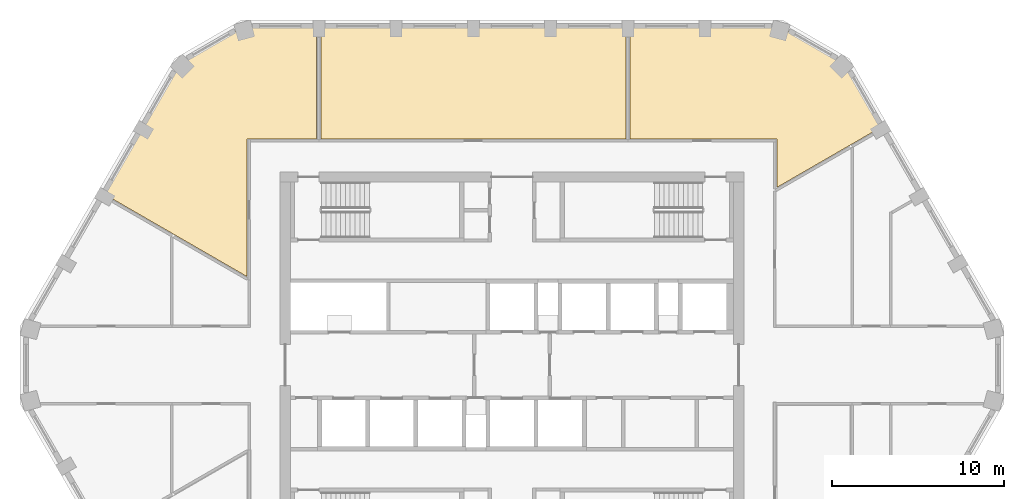
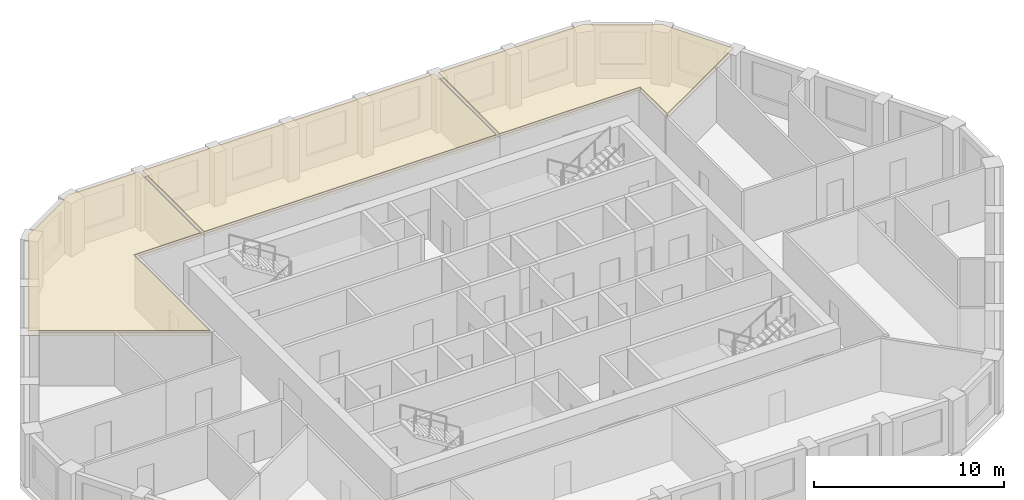
# One storey, part 11 of 11: 3 coverings.
"""IFC4 building model written with IfcOpenShell, lengths in metres."""

from ifc_helpers import new_model, si_unit, direction, frame, origin, place, context, subcontext, project, spatial, polyline, outline, extrude, material, layer, layer_set, type_object, element, save


model = new_model("IFC4")

# Units and contexts
model_context = context("Model", 3, precision=1e-05, world=origin(), true_north=direction((0.0, 1.0)))
body_context = subcontext(model_context, "Body", "Model", "MODEL_VIEW")
ifc_project = project(units=[si_unit("LENGTHUNIT", "METRE"), si_unit("AREAUNIT", "SQUARE_METRE"), si_unit("VOLUMEUNIT", "CUBIC_METRE"), si_unit("PLANEANGLEUNIT", "RADIAN"), si_unit("MASSUNIT", "GRAM", prefix="KILO")], contexts=[model_context])

# Site, building, storey
site_placement = place(None, origin())
site = spatial("IfcSite", under=ifc_project, at=site_placement, CompositionType="ELEMENT")
building_placement = place(site_placement, origin())
building = spatial("IfcBuilding", under=site, at=building_placement, Name="Dhurran Vertical Campus", CompositionType="ELEMENT")
storey_placement = place(building_placement, frame((0.0, 0.0, 278.10009765625)))
storey = spatial("IfcBuildingStorey", under=building, at=storey_placement, Name="L69", CompositionType="ELEMENT", Elevation=278.10009765625)

# Coverings
ifc_material = material(Name="Mineral fibre ceiling tiles on suspended grid")
ifc_layer = layer(ifc_material, 0.35009765625)
ifc_layer_set = layer_set([ifc_layer], Name="Mineral fibre ceiling tiles on suspended grid")
covering_type = type_object("IfcCoveringType", Name="fl-CE-350 suspended ceiling", PredefinedType="CEILING", material=ifc_layer_set)
covering_1_placement = place(storey_placement, frame((0.0, 0.0, 3.074951171875)))
element("IfcCovering", 1, at=covering_1_placement, inside=storey, type_object=covering_type, Name="Ceiling 69-08", PredefinedType="CEILING", context=body_context, shape_type="SweptSolid", body=[
    extrude(outline(polyline([(-23.722900390625, 9.93798828125), (-19.339111328125, 17.531005859375), (-15.637939453125, 19.66796875), (-11.3701171875, 19.66796875), (-11.3701171875, 13.169921875), (-15.419921875, 13.169921875), (-15.419921875, 5.14404296875), (-23.722900390625, 9.93798828125)])), origin(), (0.0, 0.0, 1.0), 0.349853515625),
])
covering_2_placement = place(storey_placement, frame((0.0, 0.0, 3.074951171875)))
element("IfcCovering", 2, at=covering_2_placement, inside=storey, type_object=covering_type, Name="Ceiling 69-10", PredefinedType="CEILING", context=body_context, shape_type="SweptSolid", body=[
    extrude(outline(polyline([(-11.1298828125, 19.66796875), (6.6298828125, 19.66796875), (6.6298828125, 13.169921875), (-11.1298828125, 13.169921875), (-11.1298828125, 19.66796875)])), origin(), (0.0, 0.0, 1.0), 0.349853515625),
])
covering_3_placement = place(storey_placement, frame((0.0, 0.0, 3.074951171875)))
element("IfcCovering", 3, at=covering_3_placement, inside=storey, type_object=covering_type, Name="Ceiling 69-12", PredefinedType="CEILING", context=body_context, shape_type="SweptSolid", body=[
    extrude(outline(polyline([(6.8701171875, 19.66796875), (15.637939453125, 19.66796875), (19.339111328125, 17.531005859375), (21.472900390625, 13.8349609375), (15.419921875, 10.340087890625), (15.419921875, 13.169921875), (6.8701171875, 13.169921875), (6.8701171875, 19.66796875)])), origin(), (0.0, 0.0, 1.0), 0.349853515625),
])

save(model, "model.ifc")
